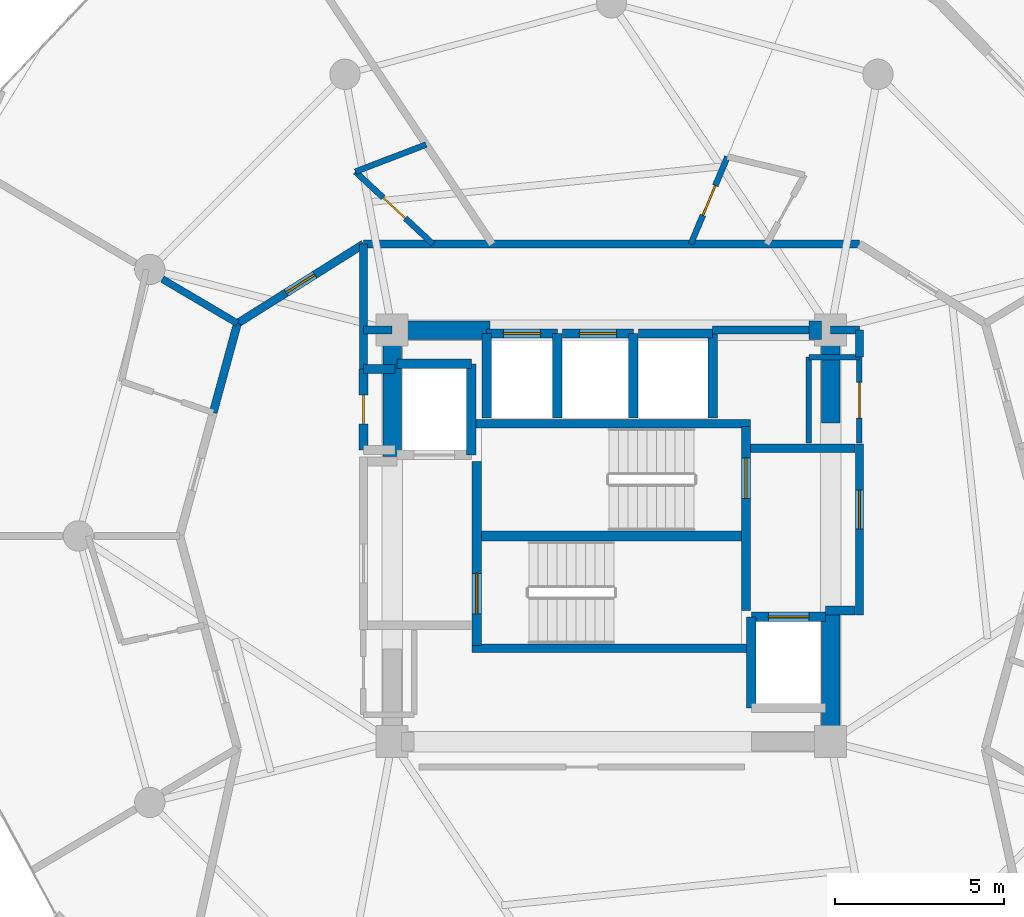
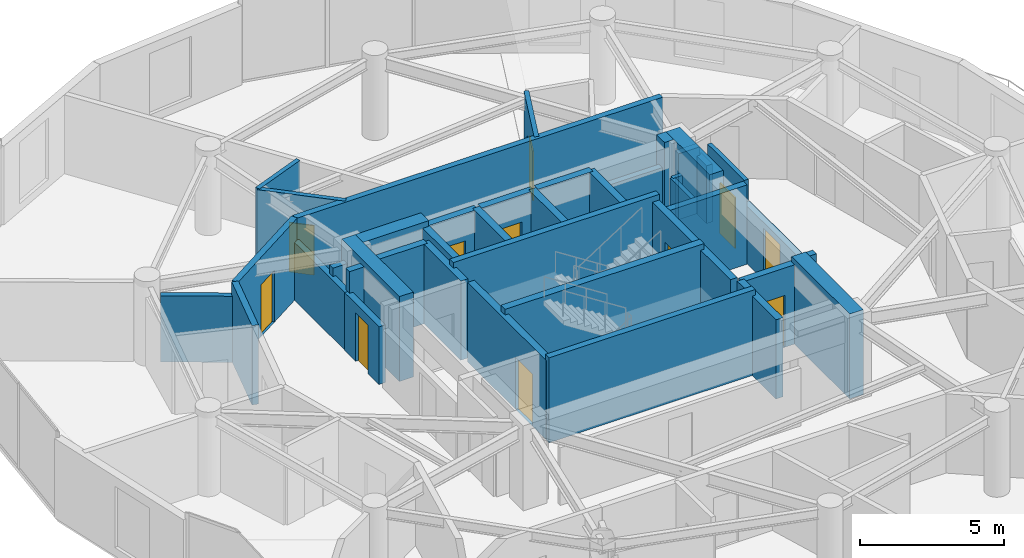
# One storey, part 19 of 23: 41 walls, 11 doors, 11 openings.
"""IFC4 building model written with IfcOpenShell, lengths in metres."""

from ifc_helpers import new_model, si_unit, direction, frame, frame_2d, origin, place, context, subcontext, project, spatial, rectangle, extrude, material, layer, layer_set, type_object, element, fill, save


model = new_model("IFC4")

# Units and contexts
model_context = context("Model", 3, precision=1e-05, world=origin(), true_north=direction((0.0, 1.0)))
body_context = subcontext(model_context, "Body", "Model", "MODEL_VIEW")
ifc_project = project(units=[si_unit("LENGTHUNIT", "METRE"), si_unit("AREAUNIT", "SQUARE_METRE"), si_unit("VOLUMEUNIT", "CUBIC_METRE"), si_unit("PLANEANGLEUNIT", "RADIAN"), si_unit("MASSUNIT", "GRAM", prefix="KILO")], contexts=[model_context])

# Site, building, storey
site_placement = place(None, origin())
site = spatial("IfcSite", under=ifc_project, at=site_placement, CompositionType="ELEMENT")
building_placement = place(site_placement, origin())
building = spatial("IfcBuilding", under=site, at=building_placement, Name="Solvirekh Grand Hotel", CompositionType="ELEMENT")
storey_placement = place(building_placement, frame((0.0, 0.0, 180.39990234375)))
storey = spatial("IfcBuildingStorey", under=building, at=storey_placement, Name="L46", CompositionType="ELEMENT", Elevation=180.39990234375)

# Walls
ifc_material_1 = material(Name="Concrete C50/60", Category="concrete")
ifc_layer_1 = layer(ifc_material_1, 0.35009765625)
ifc_layer_set_1 = layer_set([ifc_layer_1], Name="Concrete C50/60")
wall_type_1 = type_object("IfcWallType", Name="CoreDivWall_RC350", PredefinedType="SOLIDWALL", material=ifc_layer_set_1)
for number, where, z_axis, x_axis, name in (
    (1, (-4.1298828125, -3.324951171875, 0.0), (0.0, 0.0, 1.0), (1.0, 0.0, 0.0), "L46 core stair box wall ST-S"),
    (2, (-4.1298828125, 3.324951171875, 0.0), (0.0, 0.0, 1.0), (1.0, 0.0, 0.0), "L46 core stair box wall ST-N"),
):
    element("IfcWall", number, at=place(storey_placement, frame(where, z_axis=z_axis, x_axis=x_axis)), inside=storey, type_object=wall_type_1, Name=name, PredefinedType="SOLIDWALL", context=body_context, shape_type="SweptSolid", body=[
        extrude(rectangle(XDim=8.259765625, YDim=0.25, at=frame_2d((4.1298828125, 0.0))), origin(), (0.0, 0.0, 1.0), 3.60009765625),
    ])

# Wall, opening, door
ifc_material_2 = material(Name="Concrete C40/50", Category="concrete")
ifc_layer_2 = layer(ifc_material_2, 0.280029296875)
ifc_layer_set_2 = layer_set([ifc_layer_2], Name="Concrete C40/50")
wall_type_2 = type_object("IfcWallType", Name="CoreShaftWall_RC280", PredefinedType="SOLIDWALL", material=ifc_layer_set_2)
wall_1_placement = place(storey_placement, frame((-1.60009765625, 6.0, 0.0), z_axis=(0.0, 0.0, 1.0), x_axis=(-1.0, 0.0, 0.0)))
wall_1 = element("IfcWall", 3, at=wall_1_placement, inside=storey, type_object=wall_type_2, Name="L46 HP-1 hoistway N wall", PredefinedType="SOLIDWALL", context=body_context, shape_type="SweptSolid", body=[
    extrude(rectangle(XDim=2.099853515625, YDim=0.280029296875, at=frame_2d((1.0498046875, 0.0))), origin(), (0.0, 0.0, 1.0), 3.360107421875),
])
opening_1_placement = place(wall_1_placement, frame((0.5, 0.0, 0.0)))
opening_1 = element("IfcOpeningElement", 4, at=opening_1_placement, cuts=wall_1, Name="Opening LD01", PredefinedType="OPENING", context=body_context, shape_type="SweptSolid", body=[
    extrude(rectangle(XDim=1.10009765625, YDim=2.199951171875, at=frame_2d((0.550048828125, 1.10009765625))), frame((0.0, 0.14990234375, 0.0), z_axis=(0.0, -1.0, 0.0), x_axis=(1.0, 0.0, 0.0)), (0.0, 0.0, 1.0), 0.300048828125),
])
ifc_material_3 = material(Name="Fire-Rated Steel Door Assembly", Category="steel")
door_type_1 = type_object("IfcDoorType", Name="Door_LiftLanding_1100X2200", OperationType="SLIDING_TO_LEFT", PredefinedType="DOOR", material=ifc_material_3)
door_1_placement = place(opening_1_placement, origin())
door_1 = element("IfcDoor", 5, at=door_1_placement, inside=storey, type_object=door_type_1, Name="L46 HP-1 sliding lift landing door", OperationType="SLIDING_TO_LEFT", OverallHeight=2.199951171875, OverallWidth=1.10009765625, PredefinedType="DOOR", context=body_context, shape_type="SweptSolid", body=[
    extrude(rectangle(XDim=1.10009765625, YDim=2.199951171875, at=frame_2d((0.550048828125, 1.10009765625))), frame((0.0, 0.02490234375, 0.0), z_axis=(0.0, -1.0, 0.0), x_axis=(1.0, 0.0, 0.0)), (0.0, 0.0, 1.0), 0.050048828125),
])
fill(opening_1, door_1)

# Walls
for number, where, z_axis, x_axis, name in (
    (6, (-3.699951171875, 6.0, 0.0), (0.0, 0.0, 1.0), (0.0, -1.0, 0.0), "L46 HP-1 hoistway W wall"),
    (7, (-1.60009765625, 3.5, 0.0), (0.0, 0.0, 1.0), (0.0, 1.0, 0.0), "L46 HP-1 hoistway E wall"),
):
    element("IfcWall", number, at=place(storey_placement, frame(where, z_axis=z_axis, x_axis=x_axis)), inside=storey, type_object=wall_type_2, Name=name, PredefinedType="SOLIDWALL", context=body_context, shape_type="SweptSolid", body=[
        extrude(rectangle(XDim=2.5, YDim=0.280029296875, at=frame_2d((1.25, 0.0))), origin(), (0.0, 0.0, 1.0), 3.360107421875),
    ])

# Wall, opening, door
wall_2_placement = place(storey_placement, frame((0.64990234375, 6.0, 0.0), z_axis=(0.0, 0.0, 1.0), x_axis=(-1.0, 0.0, 0.0)))
wall_2 = element("IfcWall", 8, at=wall_2_placement, inside=storey, type_object=wall_type_2, Name="L46 HP-2 hoistway N wall", PredefinedType="SOLIDWALL", context=body_context, shape_type="SweptSolid", body=[
    extrude(rectangle(XDim=2.099853515625, YDim=0.280029296875, at=frame_2d((1.0498046875, 0.0))), origin(), (0.0, 0.0, 1.0), 3.360107421875),
])
opening_2_placement = place(wall_2_placement, frame((0.5, 0.0, 0.0)))
opening_2 = element("IfcOpeningElement", 9, at=opening_2_placement, cuts=wall_2, Name="Opening LD01", PredefinedType="OPENING", context=body_context, shape_type="SweptSolid", body=[
    extrude(rectangle(XDim=1.10009765625, YDim=2.199951171875, at=frame_2d((0.550048828125, 1.10009765625))), frame((0.0, 0.14990234375, 0.0), z_axis=(0.0, -1.0, 0.0), x_axis=(1.0, 0.0, 0.0)), (0.0, 0.0, 1.0), 0.300048828125),
])
door_2_placement = place(opening_2_placement, origin())
door_2 = element("IfcDoor", 10, at=door_2_placement, inside=storey, type_object=door_type_1, Name="L46 HP-2 sliding lift landing door", OperationType="SLIDING_TO_LEFT", OverallHeight=2.199951171875, OverallWidth=1.10009765625, PredefinedType="DOOR", context=body_context, shape_type="SweptSolid", body=[
    extrude(rectangle(XDim=1.10009765625, YDim=2.199951171875, at=frame_2d((0.550048828125, 1.10009765625))), frame((0.0, 0.02490234375, 0.0), z_axis=(0.0, -1.0, 0.0), x_axis=(1.0, 0.0, 0.0)), (0.0, 0.0, 1.0), 0.050048828125),
])
fill(opening_2, door_2)

# Walls
wall_3_placement = place(storey_placement, frame((0.64990234375, 3.5, 0.0), z_axis=(0.0, 0.0, 1.0), x_axis=(0.0, 1.0, 0.0)))
element("IfcWall", 11, at=wall_3_placement, inside=storey, type_object=wall_type_2, Name="L46 HP-2 hoistway E wall", PredefinedType="SOLIDWALL", context=body_context, shape_type="SweptSolid", body=[
    extrude(rectangle(XDim=2.5, YDim=0.280029296875, at=frame_2d((1.25, 0.0))), origin(), (0.0, 0.0, 1.0), 3.360107421875),
])
wall_4_placement = place(storey_placement, frame((3.0, 6.0, 0.0), z_axis=(0.0, 0.0, 1.0), x_axis=(-1.0, 0.0, 0.0)))
element("IfcWall", 12, at=wall_4_placement, inside=storey, type_object=wall_type_2, Name="L46 EX-1 hoistway N wall", PredefinedType="SOLIDWALL", context=body_context, shape_type="SweptSolid", body=[
    extrude(rectangle(XDim=2.199951171875, YDim=0.280029296875, at=frame_2d((1.10009765625, 0.0))), origin(), (0.0, 0.0, 1.0), 3.360107421875),
])
wall_5_placement = place(storey_placement, frame((3.0, 3.5, 0.0), z_axis=(0.0, 0.0, 1.0), x_axis=(0.0, 1.0, 0.0)))
element("IfcWall", 13, at=wall_5_placement, inside=storey, type_object=wall_type_2, Name="L46 EX-1 hoistway E wall", PredefinedType="SOLIDWALL", context=body_context, shape_type="SweptSolid", body=[
    extrude(rectangle(XDim=2.5, YDim=0.280029296875, at=frame_2d((1.25, 0.0))), origin(), (0.0, 0.0, 1.0), 3.360107421875),
])
wall_6_placement = place(storey_placement, frame((-4.14990234375, 5.10009765625, 0.0), z_axis=(0.0, 0.0, 1.0), x_axis=(-1.0, 0.0, 0.0)))
element("IfcWall", 14, at=wall_6_placement, inside=storey, type_object=wall_type_2, Name="L46 FL-1 hoistway N wall", PredefinedType="SOLIDWALL", context=body_context, shape_type="SweptSolid", body=[
    extrude(rectangle(XDim=2.2001953125, YDim=0.280029296875, at=frame_2d((1.10009765625, 0.0))), origin(), (0.0, 0.0, 1.0), 3.360107421875),
])
wall_7_placement = place(storey_placement, frame((-4.14990234375, 2.39990234375, 0.0), z_axis=(0.0, 0.0, 1.0), x_axis=(0.0, 1.0, 0.0)))
element("IfcWall", 15, at=wall_7_placement, inside=storey, type_object=wall_type_2, Name="L46 FL-1 hoistway E wall", PredefinedType="SOLIDWALL", context=body_context, shape_type="SweptSolid", body=[
    extrude(rectangle(XDim=2.7001953125, YDim=0.280029296875, at=frame_2d((1.35009765625, 0.0))), origin(), (0.0, 0.0, 1.0), 3.360107421875),
])

# Wall, opening, door
wall_8_placement = place(storey_placement, frame((6.35009765625, -2.39990234375, 0.0), z_axis=(0.0, 0.0, 1.0), x_axis=(-1.0, 0.0, 0.0)))
wall_8 = element("IfcWall", 16, at=wall_8_placement, inside=storey, type_object=wall_type_2, Name="L46 FL-2 hoistway N wall", PredefinedType="SOLIDWALL", context=body_context, shape_type="SweptSolid", body=[
    extrude(rectangle(XDim=2.2001953125, YDim=0.280029296875, at=frame_2d((1.10009765625, 0.0))), origin(), (0.0, 0.0, 1.0), 3.360107421875),
])
opening_3_placement = place(wall_8_placement, frame((0.5, 0.0, 0.0)))
opening_3 = element("IfcOpeningElement", 17, at=opening_3_placement, cuts=wall_8, Name="Opening LD02", PredefinedType="OPENING", context=body_context, shape_type="SweptSolid", body=[
    extrude(rectangle(XDim=1.199951171875, YDim=2.199951171875, at=frame_2d((0.60009765625, 1.10009765625))), frame((0.0, 0.14990234375, 0.0), z_axis=(0.0, -1.0, 0.0), x_axis=(1.0, 0.0, 0.0)), (0.0, 0.0, 1.0), 0.300048828125),
])
door_type_2 = type_object("IfcDoorType", Name="Door_LiftFF_1200X2200", OperationType="SLIDING_TO_LEFT", PredefinedType="DOOR", material=ifc_material_3)
door_3_placement = place(opening_3_placement, origin())
door_3 = element("IfcDoor", 18, at=door_3_placement, inside=storey, type_object=door_type_2, Name="L46 FL-2 sliding lift landing door", OperationType="SLIDING_TO_LEFT", OverallHeight=2.199951171875, OverallWidth=1.199951171875, PredefinedType="DOOR", context=body_context, shape_type="SweptSolid", body=[
    extrude(rectangle(XDim=1.199951171875, YDim=2.199951171875, at=frame_2d((0.60009765625, 1.10009765625))), frame((0.0, 0.02490234375, 0.0), z_axis=(0.0, -1.0, 0.0), x_axis=(1.0, 0.0, 0.0)), (0.0, 0.0, 1.0), 0.050048828125),
])
fill(opening_3, door_3)

# Wall
wall_9_placement = place(storey_placement, frame((4.14990234375, -2.39990234375, 0.0), z_axis=(0.0, 0.0, 1.0), x_axis=(0.0, -1.0, 0.0)))
element("IfcWall", 19, at=wall_9_placement, inside=storey, type_object=wall_type_2, Name="L46 FL-2 hoistway W wall", PredefinedType="SOLIDWALL", context=body_context, shape_type="SweptSolid", body=[
    extrude(rectangle(XDim=2.7001953125, YDim=0.280029296875, at=frame_2d((1.35009765625, 0.0))), origin(), (0.0, 0.0, 1.0), 3.360107421875),
])

# Wall, opening, door
wall_10_placement = place(storey_placement, frame((-3.989990234375, -3.25, 0.0), z_axis=(0.0, 0.0, 1.0), x_axis=(0.0, 1.0, 0.0)))
wall_10 = element("IfcWall", 20, at=wall_10_placement, inside=storey, type_object=wall_type_2, Name="L46 west stair landing enclosure wall", PredefinedType="SOLIDWALL", context=body_context, shape_type="SweptSolid", body=[
    extrude(rectangle(XDim=5.4599609375, YDim=0.280029296875, at=frame_2d((2.72998046875, 0.0))), origin(), (0.0, 0.0, 1.0), 3.360107421875),
])
opening_4_placement = place(wall_10_placement, frame((0.93701171875, 0.0, 0.0)))
opening_4 = element("IfcOpeningElement", 21, at=opening_4_placement, cuts=wall_10, Name="Opening D05", PredefinedType="OPENING", context=body_context, shape_type="SweptSolid", body=[
    extrude(rectangle(XDim=1.199951171875, YDim=2.199951171875, at=frame_2d((0.60009765625, 1.10009765625))), frame((0.0, 0.14990234375, 0.0), z_axis=(0.0, -1.0, 0.0), x_axis=(1.0, 0.0, 0.0)), (0.0, 0.0, 1.0), 0.300048828125),
])
door_type_3 = type_object("IfcDoorType", Name="Door_StairCore_1200X2200", OperationType="NOTDEFINED", PredefinedType="DOOR", material=ifc_material_3)
door_4_placement = place(opening_4_placement, origin())
door_4 = element("IfcDoor", 22, at=door_4_placement, inside=storey, type_object=door_type_3, Name="L46 exit stair ST-1 fire door", OperationType="SINGLE_SWING_LEFT", OverallHeight=2.199951171875, OverallWidth=1.199951171875, PredefinedType="DOOR", context=body_context, shape_type="SweptSolid", body=[
    extrude(rectangle(XDim=1.199951171875, YDim=2.199951171875, at=frame_2d((0.60009765625, 1.10009765625))), frame((0.0, 0.02490234375, 0.0), z_axis=(0.0, -1.0, 0.0), x_axis=(1.0, 0.0, 0.0)), (0.0, 0.0, 1.0), 0.050048828125),
])
fill(opening_4, door_4)

wall_11_placement = place(storey_placement, frame((3.989990234375, -2.2099609375, 0.0), z_axis=(0.0, 0.0, 1.0), x_axis=(0.0, 1.0, 0.0)))
wall_11 = element("IfcWall", 23, at=wall_11_placement, inside=storey, type_object=wall_type_2, Name="L46 east stair landing enclosure wall", PredefinedType="SOLIDWALL", context=body_context, shape_type="SweptSolid", body=[
    extrude(rectangle(XDim=5.4599609375, YDim=0.280029296875, at=frame_2d((2.72998046875, 0.0))), origin(), (0.0, 0.0, 1.0), 3.360107421875),
])
opening_5_placement = place(wall_11_placement, frame((3.322998046875, 0.0, 0.0)))
opening_5 = element("IfcOpeningElement", 24, at=opening_5_placement, cuts=wall_11, Name="Opening D05", PredefinedType="OPENING", context=body_context, shape_type="SweptSolid", body=[
    extrude(rectangle(XDim=1.199951171875, YDim=2.199951171875, at=frame_2d((0.60009765625, 1.10009765625))), frame((0.0, 0.14990234375, 0.0), z_axis=(0.0, -1.0, 0.0), x_axis=(1.0, 0.0, 0.0)), (0.0, 0.0, 1.0), 0.300048828125),
])
door_5_placement = place(opening_5_placement, origin())
door_5 = element("IfcDoor", 25, at=door_5_placement, inside=storey, type_object=door_type_3, Name="L46 exit stair ST-2 fire door", OperationType="SINGLE_SWING_RIGHT", OverallHeight=2.199951171875, OverallWidth=1.199951171875, PredefinedType="DOOR", context=body_context, shape_type="SweptSolid", body=[
    extrude(rectangle(XDim=1.199951171875, YDim=2.199951171875, at=frame_2d((0.60009765625, 1.10009765625))), frame((0.0, 0.02490234375, 0.0), z_axis=(0.0, -1.0, 0.0), x_axis=(1.0, 0.0, 0.0)), (0.0, 0.0, 1.0), 0.050048828125),
])
fill(opening_5, door_5)

# Walls
ifc_layer_3 = layer(ifc_material_1, 0.550048828125)
ifc_layer_set_3 = layer_set([ifc_layer_3], Name="Concrete C50/60")
wall_type_3 = type_object("IfcWallType", Name="CoreWall_RC550", PredefinedType="SHEAR", material=ifc_layer_set_3)
wall_12_placement = place(storey_placement, frame((-3.989990234375, 0.0, 0.0), z_axis=(0.0, 0.0, 1.0), x_axis=(1.0, 0.0, 0.0)))
element("IfcWall", 26, at=wall_12_placement, inside=storey, type_object=wall_type_3, Name="L46 central stair-spine shear wall", PredefinedType="SHEAR", context=body_context, shape_type="SweptSolid", body=[
    extrude(rectangle(XDim=7.97998046875, YDim=0.300048828125, at=frame_2d((3.989990234375, 0.0))), origin(), (0.0, 0.0, 1.0), 3.60009765625),
])
wall_13_placement = place(storey_placement, frame((-6.22509765625, 6.10009765625, 0.0), z_axis=(0.0, 0.0, 1.0), x_axis=(1.0, 0.0, 0.0)))
element("IfcWall", 27, at=wall_13_placement, inside=storey, type_object=wall_type_3, Name="L46 core corner shear wall NW-N", PredefinedType="SHEAR", context=body_context, shape_type="SweptSolid", body=[
    extrude(rectangle(XDim=2.625, YDim=0.550048828125, at=frame_2d((1.3125, 0.0))), origin(), (0.0, 0.0, 1.0), 3.60009765625),
])
wall_14_placement = place(storey_placement, frame((5.85009765625, 6.10009765625, 0.0), z_axis=(0.0, 0.0, 1.0), x_axis=(1.0, 0.0, 0.0)))
element("IfcWall", 28, at=wall_14_placement, inside=storey, type_object=wall_type_3, Name="L46 core corner shear wall NE-N", PredefinedType="SHEAR", context=body_context, shape_type="SweptSolid", body=[
    extrude(rectangle(XDim=0.375, YDim=0.550048828125, at=frame_2d((0.1875, 0.0))), origin(), (0.0, 0.0, 1.0), 3.60009765625),
])
for number, where, z_axis, x_axis, name in (
    (29, (-6.5, 2.35009765625, 0.0), (0.0, 0.0, 1.0), (0.0, 1.0, 0.0), "L46 core corner shear wall WN-W"),
    (30, (6.5, -6.375, 0.0), (0.0, 0.0, 1.0), (0.0, 1.0, 0.0), "L46 core corner shear wall ES-E"),
):
    element("IfcWall", number, at=place(storey_placement, frame(where, z_axis=z_axis, x_axis=x_axis)), inside=storey, type_object=wall_type_3, Name=name, PredefinedType="SHEAR", context=body_context, shape_type="SweptSolid", body=[
        extrude(rectangle(XDim=4.02490234375, YDim=0.550048828125, at=frame_2d((2.012451171875, 0.0))), origin(), (0.0, 0.0, 1.0), 3.60009765625),
    ])
wall_15_placement = place(storey_placement, frame((6.5, 3.35009765625, 0.0), z_axis=(0.0, 0.0, 1.0), x_axis=(0.0, 1.0, 0.0)))
element("IfcWall", 31, at=wall_15_placement, inside=storey, type_object=wall_type_3, Name="L46 core corner shear wall EN-E", PredefinedType="SHEAR", context=body_context, shape_type="SweptSolid", body=[
    extrude(rectangle(XDim=3.02490234375, YDim=0.550048828125, at=frame_2d((1.512451171875, 0.0))), origin(), (0.0, 0.0, 1.0), 3.60009765625),
])

# Wall, opening, door
ifc_material_4 = material(Name="Acoustic Gypsum Partition Assembly")
ifc_layer_4 = layer(ifc_material_4, 0.1650390625)
ifc_layer_set_4 = layer_set([ifc_layer_4], Name="Acoustic Gypsum Partition Assembly")
wall_type_4 = type_object("IfcWallType", Name="Part_BOH_165", PredefinedType="PARTITIONING", material=ifc_layer_set_4)
wall_16_placement = place(storey_placement, frame((7.35009765625, 2.75, 0.0), z_axis=(0.0, 0.0, 1.0), x_axis=(0.0, 1.0, 0.0)))
wall_16 = element("IfcWall", 32, at=wall_16_placement, inside=storey, type_object=wall_type_4, Name="L46 L46 Telecom Distribution Room wall 2", PredefinedType="PARTITIONING", context=body_context, shape_type="SweptSolid", body=[
    extrude(rectangle(XDim=2.550048828125, YDim=0.1650390625, at=frame_2d((1.27490234375, 0.0))), origin(), (0.0, 0.0, 1.0), 3.360107421875),
])
opening_6_placement = place(wall_16_placement, frame((0.75, 0.0, 0.0)))
opening_6 = element("IfcOpeningElement", 33, at=opening_6_placement, cuts=wall_16, Name="Opening D12", PredefinedType="OPENING", context=body_context, shape_type="SweptSolid", body=[
    extrude(rectangle(XDim=1.050048828125, YDim=2.14990234375, at=frame_2d((0.52490234375, 1.074951171875))), frame((0.0, 0.092529296875, 0.0), z_axis=(0.0, -1.0, 0.0), x_axis=(1.0, 0.0, 0.0)), (0.0, 0.0, 1.0), 0.18505859375),
])
door_type_4 = type_object("IfcDoorType", Name="Door_PlantBOH_1050X2150", OperationType="NOTDEFINED", PredefinedType="DOOR", material=ifc_material_3)
door_6_placement = place(opening_6_placement, origin())
door_6 = element("IfcDoor", 34, at=door_6_placement, inside=storey, type_object=door_type_4, Name="L46 L46 Telecom Distribution Room door", OperationType="SINGLE_SWING_LEFT", OverallHeight=2.14990234375, OverallWidth=1.050048828125, PredefinedType="DOOR", context=body_context, shape_type="SweptSolid", body=[
    extrude(rectangle(XDim=1.050048828125, YDim=2.14990234375, at=frame_2d((0.52490234375, 1.074951171875))), frame((0.0, 0.02490234375, 0.0), z_axis=(0.0, -1.0, 0.0), x_axis=(1.0, 0.0, 0.0)), (0.0, 0.0, 1.0), 0.050048828125),
])
fill(opening_6, door_6)

# Walls
wall_17_placement = place(storey_placement, frame((7.35009765625, 5.300048828125, 0.0), z_axis=(0.0, 0.0, 1.0), x_axis=(-1.0, 0.0, 0.0)))
element("IfcWall", 35, at=wall_17_placement, inside=storey, type_object=wall_type_4, Name="L46 L46 Telecom Distribution Room wall 3", PredefinedType="PARTITIONING", context=body_context, shape_type="SweptSolid", body=[
    extrude(rectangle(XDim=1.5, YDim=0.1650390625, at=frame_2d((0.75, 0.0))), origin(), (0.0, 0.0, 1.0), 2.445068359375),
])
wall_18_placement = place(storey_placement, frame((5.85009765625, 5.300048828125, 0.0), z_axis=(0.0, 0.0, 1.0), x_axis=(0.0, -1.0, 0.0)))
element("IfcWall", 36, at=wall_18_placement, inside=storey, type_object=wall_type_4, Name="L46 L46 Telecom Distribution Room wall 4", PredefinedType="PARTITIONING", context=body_context, shape_type="SweptSolid", body=[
    extrude(rectangle(XDim=2.550048828125, YDim=0.1650390625, at=frame_2d((1.27490234375, 0.0))), origin(), (0.0, 0.0, 1.0), 2.445068359375),
])

# Wall, opening, door
ifc_layer_5 = layer(ifc_material_4, 0.239990234375)
ifc_layer_set_5 = layer_set([ifc_layer_5], Name="Acoustic Gypsum Partition Assembly")
wall_type_5 = type_object("IfcWallType", Name="Part_Corridor_240", PredefinedType="PARTITIONING", material=ifc_layer_set_5)
wall_19_placement = place(storey_placement, frame((7.35009765625, -2.340087890625, 0.0), z_axis=(0.0, 0.0, 1.0), x_axis=(0.0, 1.0, 0.0)))
wall_19 = element("IfcWall", 37, at=wall_19_placement, inside=storey, type_object=wall_type_5, Name="L46 east firefighting lobby smoke screen wall", PredefinedType="PARTITIONING", context=body_context, shape_type="SweptSolid", body=[
    extrude(rectangle(XDim=5.070068359375, YDim=0.239990234375, at=frame_2d((2.53515625, 0.0))), origin(), (0.0, 0.0, 1.0), 2.445068359375),
])
opening_7_placement = place(wall_19_placement, frame((2.548095703125, 0.0, 0.0)))
opening_7 = element("IfcOpeningElement", 38, at=opening_7_placement, cuts=wall_19, Name="Opening D06", PredefinedType="OPENING", context=body_context, shape_type="SweptSolid", body=[
    extrude(rectangle(XDim=1.14990234375, YDim=2.199951171875, at=frame_2d((0.574951171875, 1.10009765625))), frame((0.0, 0.1298828125, 0.0), z_axis=(0.0, -1.0, 0.0), x_axis=(1.0, 0.0, 0.0)), (0.0, 0.0, 1.0), 0.260009765625),
])
door_type_5 = type_object("IfcDoorType", Name="Door_FFLobby_1150X2200", OperationType="NOTDEFINED", PredefinedType="DOOR", material=ifc_material_3)
door_7_placement = place(opening_7_placement, origin())
door_7 = element("IfcDoor", 39, at=door_7_placement, inside=storey, type_object=door_type_5, Name="L46 east firefighting lobby smoke door", OperationType="SINGLE_SWING_RIGHT", OverallHeight=2.199951171875, OverallWidth=1.14990234375, PredefinedType="DOOR", context=body_context, shape_type="SweptSolid", body=[
    extrude(rectangle(XDim=1.14990234375, YDim=2.199951171875, at=frame_2d((0.574951171875, 1.10009765625))), frame((0.0, 0.02490234375, 0.0), z_axis=(0.0, -1.0, 0.0), x_axis=(1.0, 0.0, 0.0)), (0.0, 0.0, 1.0), 0.050048828125),
])
fill(opening_7, door_7)

# Walls
wall_20_placement = place(storey_placement, frame((-7.35009765625, 8.64990234375, 0.0), z_axis=(0.0, 0.0, 1.0), x_axis=(1.0, 0.0, 0.0)))
element("IfcWall", 40, at=wall_20_placement, inside=storey, type_object=wall_type_5, Name="L46 north lift lobby enclosure wall", PredefinedType="PARTITIONING", context=body_context, shape_type="SweptSolid", body=[
    extrude(rectangle(XDim=14.7001953125, YDim=0.239990234375, at=frame_2d((7.35009765625, 0.0))), origin(), (0.0, 0.0, 1.0), 3.360107421875),
])
wall_21_placement = place(storey_placement, frame((3.0, 6.10009765625, 0.0), z_axis=(0.0, 0.0, 1.0), x_axis=(1.0, 0.0, 0.0)))
element("IfcWall", 41, at=wall_21_placement, inside=storey, type_object=wall_type_5, Name="L46 north core shaft infill wall", PredefinedType="PARTITIONING", context=body_context, shape_type="SweptSolid", body=[
    extrude(rectangle(XDim=2.85009765625, YDim=0.239990234375, at=frame_2d((1.425048828125, 0.0))), origin(), (0.0, 0.0, 1.0), 2.445068359375),
])
wall_22_placement = place(storey_placement, frame((7.35009765625, 5.300048828125, 0.0), z_axis=(0.0, 0.0, 1.0), x_axis=(0.0, 1.0, 0.0)))
element("IfcWall", 42, at=wall_22_placement, inside=storey, type_object=wall_type_5, Name="L46 NE core cheek closure wall", PredefinedType="PARTITIONING", context=body_context, shape_type="SweptSolid", body=[
    extrude(rectangle(XDim=0.800048828125, YDim=0.239990234375, at=frame_2d((0.39990234375, 0.0))), origin(), (0.0, 0.0, 1.0), 2.445068359375),
])
wall_23_placement = place(storey_placement, frame((6.5, 6.10009765625, 0.0), z_axis=(0.0, 0.0, 1.0), x_axis=(1.0, 0.0, 0.0)))
element("IfcWall", 43, at=wall_23_placement, inside=storey, type_object=wall_type_5, Name="L46 NE core corner tie wall", PredefinedType="PARTITIONING", context=body_context, shape_type="SweptSolid", body=[
    extrude(rectangle(XDim=0.85009765625, YDim=0.239990234375, at=frame_2d((0.425048828125, 0.0))), origin(), (0.0, 0.0, 1.0), 2.801025390625),
])
wall_24_placement = place(storey_placement, frame((-7.35009765625, 4.949951171875, 0.0), z_axis=(0.0, 0.0, 1.0), x_axis=(0.0, 1.0, 0.0)))
element("IfcWall", 44, at=wall_24_placement, inside=storey, type_object=wall_type_5, Name="L46 north lift lobby west wall", PredefinedType="PARTITIONING", context=body_context, shape_type="SweptSolid", body=[
    extrude(rectangle(XDim=3.699951171875, YDim=0.239990234375, at=frame_2d((1.85009765625, 0.0))), origin(), (0.0, 0.0, 1.0), 2.445068359375),
])
wall_25_placement = place(storey_placement, frame((-7.35009765625, 6.10009765625, 0.0), z_axis=(0.0, 0.0, 1.0), x_axis=(1.0, 0.0, 0.0)))
element("IfcWall", 45, at=wall_25_placement, inside=storey, type_object=wall_type_5, Name="L46 NW core corner closure wall", PredefinedType="PARTITIONING", context=body_context, shape_type="SweptSolid", body=[
    extrude(rectangle(XDim=0.85009765625, YDim=0.239990234375, at=frame_2d((0.425048828125, 0.0))), origin(), (0.0, 0.0, 1.0), 2.801025390625),
])

# Wall, opening, door
wall_26_placement = place(storey_placement, frame((-11.0849609375, 6.300048828125, 0.0), z_axis=(0.0, 0.0, 1.0), x_axis=(0.846409267484, 0.532532958526, 0.0)))
wall_26 = element("IfcWall", 46, at=wall_26_placement, inside=storey, type_object=wall_type_5, Name="L46 Deluxe Guestroom 4802 entrance wall", PredefinedType="PARTITIONING", context=body_context, shape_type="SweptSolid", body=[
    extrude(rectangle(XDim=4.41259765625, YDim=0.239990234375, at=frame_2d((2.206298828125, 0.0))), origin(), (0.0, 0.0, 1.0), 3.360107421875),
])
opening_8_placement = place(wall_26_placement, frame((1.7060546875, 0.0, 0.0)))
opening_8 = element("IfcOpeningElement", 47, at=opening_8_placement, cuts=wall_26, Name="Opening D07", PredefinedType="OPENING", context=body_context, shape_type="SweptSolid", body=[
    extrude(rectangle(XDim=1.0, YDim=2.199951171875, at=frame_2d((0.5, 1.10009765625))), frame((0.0, 0.1298828125, 0.0), z_axis=(0.0, -1.0, 0.0), x_axis=(1.0, 0.0, 0.0)), (0.0, 0.0, 1.0), 0.260009765625),
])
door_type_6 = type_object("IfcDoorType", Name="Door_GuestEntry_1000X2200", OperationType="NOTDEFINED", PredefinedType="DOOR", material=ifc_material_3)
door_8_placement = place(opening_8_placement, origin())
door_8 = element("IfcDoor", 48, at=door_8_placement, inside=storey, type_object=door_type_6, Name="L46 Deluxe Guestroom 4802 entrance door", OperationType="SINGLE_SWING_LEFT", OverallHeight=2.199951171875, OverallWidth=1.0, PredefinedType="DOOR", context=body_context, shape_type="SweptSolid", body=[
    extrude(rectangle(XDim=1.0, YDim=2.199951171875, at=frame_2d((0.5, 1.10009765625))), frame((0.0, 0.02490234375, 0.0), z_axis=(0.0, -1.0, 0.0), x_axis=(1.0, 0.0, 0.0)), (0.0, 0.0, 1.0), 0.050048828125),
])
fill(opening_8, door_8)

# Walls
wall_27_placement = place(storey_placement, frame((-11.0849609375, 6.300048828125, 0.0), z_axis=(0.0, 0.0, 1.0), x_axis=(-0.262552356383, -0.964917747872, 0.0)))
element("IfcWall", 49, at=wall_27_placement, inside=storey, type_object=wall_type_5, Name="L46 En-suite Bathroom 4803 corridor backing wall", PredefinedType="PARTITIONING", context=body_context, shape_type="SweptSolid", body=[
    extrude(rectangle(XDim=2.7421875, YDim=0.239990234375, at=frame_2d((1.37109375, 0.0))), origin(), (0.0, 0.0, 1.0), 3.360107421875),
])
ifc_layer_6 = layer(ifc_material_4, 0.260009765625)
ifc_layer_set_6 = layer_set([ifc_layer_6], Name="Acoustic Gypsum Partition Assembly")
wall_type_6 = type_object("IfcWallType", Name="Part_LobbyFF_260", PredefinedType="PARTITIONING", material=ifc_layer_set_6)
wall_28_placement = place(storey_placement, frame((6.35009765625, -2.2099609375, 0.0), z_axis=(0.0, 0.0, 1.0), x_axis=(1.0, 0.0, 0.0)))
element("IfcWall", 50, at=wall_28_placement, inside=storey, type_object=wall_type_6, Name="L46 east firefighting lobby SE cheek", PredefinedType="PARTITIONING", context=body_context, shape_type="SweptSolid", body=[
    extrude(rectangle(XDim=0.875, YDim=0.260009765625, at=frame_2d((0.4375, 0.0))), origin(), (0.0, 0.0, 1.0), 3.360107421875),
])
wall_29_placement = place(storey_placement, frame((4.1298828125, 2.60009765625, 0.0), z_axis=(0.0, 0.0, 1.0), x_axis=(1.0, 0.0, 0.0)))
element("IfcWall", 51, at=wall_29_placement, inside=storey, type_object=wall_type_6, Name="L46 east firefighting lobby north partition", PredefinedType="PARTITIONING", context=body_context, shape_type="SweptSolid", body=[
    extrude(rectangle(XDim=3.09521484375, YDim=0.260009765625, at=frame_2d((1.547607421875, 0.0))), origin(), (0.0, 0.0, 1.0), 3.360107421875),
])
wall_30_placement = place(storey_placement, frame((-7.35009765625, 4.949951171875, 0.0), z_axis=(0.0, 0.0, 1.0), x_axis=(1.0, 0.0, 0.0)))
element("IfcWall", 52, at=wall_30_placement, inside=storey, type_object=wall_type_6, Name="L46 NW telecom metering cupboard north wall", PredefinedType="PARTITIONING", context=body_context, shape_type="SweptSolid", body=[
    extrude(rectangle(XDim=0.93017578125, YDim=0.260009765625, at=frame_2d((0.465087890625, 0.0))), origin(), (0.0, 0.0, 1.0), 3.360107421875),
])

# Wall, opening, door
wall_31_placement = place(storey_placement, frame((-7.35009765625, 2.550048828125, 0.0), z_axis=(0.0, 0.0, 1.0), x_axis=(0.0, 1.0, 0.0)))
wall_31 = element("IfcWall", 53, at=wall_31_placement, inside=storey, type_object=wall_type_6, Name="L46 NW telecom metering cupboard access wall", PredefinedType="PARTITIONING", context=body_context, shape_type="SweptSolid", body=[
    extrude(rectangle(XDim=2.39990234375, YDim=0.260009765625, at=frame_2d((1.199951171875, 0.0))), origin(), (0.0, 0.0, 1.0), 2.445068359375),
])
opening_9_placement = place(wall_31_placement, frame((0.77490234375, 0.0, 0.0)))
opening_9 = element("IfcOpeningElement", 54, at=opening_9_placement, cuts=wall_31, Name="Opening D13", PredefinedType="OPENING", context=body_context, shape_type="SweptSolid", body=[
    extrude(rectangle(XDim=0.85009765625, YDim=2.050048828125, at=frame_2d((0.425048828125, 1.02490234375))), frame((0.0, 0.14013671875, 0.0), z_axis=(0.0, -1.0, 0.0), x_axis=(1.0, 0.0, 0.0)), (0.0, 0.0, 1.0), 0.280029296875),
])
door_type_7 = type_object("IfcDoorType", Name="Door_RiserShaft_850X2050", OperationType="NOTDEFINED", PredefinedType="DOOR", material=ifc_material_3)
door_9_placement = place(opening_9_placement, origin())
door_9 = element("IfcDoor", 55, at=door_9_placement, inside=storey, type_object=door_type_7, Name="L46 telecom metering cupboard access door", OperationType="SINGLE_SWING_LEFT", OverallHeight=2.050048828125, OverallWidth=0.85009765625, PredefinedType="DOOR", context=body_context, shape_type="SweptSolid", body=[
    extrude(rectangle(XDim=0.85009765625, YDim=2.050048828125, at=frame_2d((0.425048828125, 1.02490234375))), frame((0.0, 0.02490234375, 0.0), z_axis=(0.0, -1.0, 0.0), x_axis=(1.0, 0.0, 0.0)), (0.0, 0.0, 1.0), 0.050048828125),
])
fill(opening_9, door_9)

# Wall
ifc_layer_7 = layer(ifc_material_4, 0.2099609375)
ifc_layer_set_7 = layer_set([ifc_layer_7], Name="Acoustic Gypsum Partition Assembly")
wall_type_7 = type_object("IfcWallType", Name="Part_SuiteDemise_210", PredefinedType="PARTITIONING", material=ifc_layer_set_7)
wall_32_placement = place(storey_placement, frame((-11.0849609375, 6.300048828125, 0.0), z_axis=(0.0, 0.0, 1.0), x_axis=(-0.86133622593, 0.508035339225, 0.0)))
element("IfcWall", 56, at=wall_32_placement, inside=storey, type_object=wall_type_7, Name="L46 suite radial wall 6 (A)", PredefinedType="PARTITIONING", context=body_context, shape_type="SweptSolid", body=[
    extrude(rectangle(XDim=2.58447265625, YDim=0.2099609375, at=frame_2d((1.292236328125, 0.0))), origin(), (0.0, 0.0, 1.0), 2.801025390625),
])

# Wall, opening, door
ifc_layer_8 = layer(ifc_material_4, 0.175048828125)
ifc_layer_set_8 = layer_set([ifc_layer_8], Name="Acoustic Gypsum Partition Assembly")
wall_type_8 = type_object("IfcWallType", Name="Plumb_Ensuite_175", PredefinedType="PLUMBINGWALL", material=ifc_layer_set_8)
wall_33_placement = place(storey_placement, frame((3.43896484375, 11.239013671875, 0.0), z_axis=(0.0, 0.0, 1.0), x_axis=(-0.387077273479, -0.922047278807, 0.0)))
wall_33 = element("IfcWall", 57, at=wall_33_placement, inside=storey, type_object=wall_type_8, Name="L46 En-suite Bathroom 4801 side plumbing wall", PredefinedType="PLUMBINGWALL", context=body_context, shape_type="SweptSolid", body=[
    extrude(rectangle(XDim=2.80810546875, YDim=0.175048828125, at=frame_2d((1.404052734375, 0.0))), origin(), (0.0, 0.0, 1.0), 3.360107421875),
])
opening_10_placement = place(wall_33_placement, frame((0.928955078125, 0.0, 0.0)))
opening_10 = element("IfcOpeningElement", 58, at=opening_10_placement, cuts=wall_33, Name="Opening D10", PredefinedType="OPENING", context=body_context, shape_type="SweptSolid", body=[
    extrude(rectangle(XDim=0.949951171875, YDim=2.10009765625, at=frame_2d((0.47509765625, 1.050048828125))), frame((0.0, 0.09765625, 0.0), z_axis=(0.0, -1.0, 0.0), x_axis=(1.0, 0.0, 0.0)), (0.0, 0.0, 1.0), 0.195068359375),
])
ifc_material_5 = material(Name="Anodized Bronze Aluminium 6063-T6", Category="aluminium")
door_type_8 = type_object("IfcDoorType", Name="Door_RoomInt_950X2100", OperationType="NOTDEFINED", PredefinedType="DOOR", material=ifc_material_5)
door_10_placement = place(opening_10_placement, origin())
door_10 = element("IfcDoor", 59, at=door_10_placement, inside=storey, type_object=door_type_8, Name="L46 Panorama Suite 4801 North Observatory Study master bedroom door", OperationType="SINGLE_SWING_LEFT", OverallHeight=2.10009765625, OverallWidth=0.949951171875, PredefinedType="DOOR", context=body_context, shape_type="SweptSolid", body=[
    extrude(rectangle(XDim=0.949951171875, YDim=2.10009765625, at=frame_2d((0.47509765625, 1.050048828125))), frame((0.0, 0.02490234375, 0.0), z_axis=(0.0, -1.0, 0.0), x_axis=(1.0, 0.0, 0.0)), (0.0, 0.0, 1.0), 0.050048828125),
])
fill(opening_10, door_10)

# Wall
wall_34_placement = place(storey_placement, frame((-7.591064453125, 10.7958984375, 0.0), z_axis=(0.0, 0.0, 1.0), x_axis=(0.933759431782, 0.357901276273, 0.0)))
element("IfcWall", 60, at=wall_34_placement, inside=storey, type_object=wall_type_8, Name="L46 En-suite Bathroom 4802 outer plumbing wall", PredefinedType="PLUMBINGWALL", context=body_context, shape_type="SweptSolid", body=[
    extrude(rectangle(XDim=2.2470703125, YDim=0.175048828125, at=frame_2d((1.12353515625, 0.0))), origin(), (0.0, 0.0, 1.0), 3.360107421875),
])

# Wall, opening, door
wall_35_placement = place(storey_placement, frame((-7.591064453125, 10.7958984375, 0.0), z_axis=(0.0, 0.0, 1.0), x_axis=(0.731925968359, -0.681384162453, 0.0)))
wall_35 = element("IfcWall", 61, at=wall_35_placement, inside=storey, type_object=wall_type_8, Name="L46 En-suite Bathroom 4802 entry plumbing wall", PredefinedType="PLUMBINGWALL", context=body_context, shape_type="SweptSolid", body=[
    extrude(rectangle(XDim=3.1494140625, YDim=0.175048828125, at=frame_2d((1.57470703125, 0.0))), origin(), (0.0, 0.0, 1.0), 3.360107421875),
])
opening_11_placement = place(wall_35_placement, frame((1.125, 0.0, 0.0)))
opening_11 = element("IfcOpeningElement", 62, at=opening_11_placement, cuts=wall_35, Name="Opening D09", PredefinedType="OPENING", context=body_context, shape_type="SweptSolid", body=[
    extrude(rectangle(XDim=0.89990234375, YDim=2.10009765625, at=frame_2d((0.449951171875, 1.050048828125))), frame((0.0, 0.09765625, 0.0), z_axis=(0.0, -1.0, 0.0), x_axis=(1.0, 0.0, 0.0)), (0.0, 0.0, 1.0), 0.195068359375),
])
door_type_9 = type_object("IfcDoorType", Name="Door_Ensuite_900X2100", OperationType="NOTDEFINED", PredefinedType="DOOR", material=ifc_material_5)
door_11_placement = place(opening_11_placement, origin())
door_11 = element("IfcDoor", 63, at=door_11_placement, inside=storey, type_object=door_type_9, Name="L46 En-suite Bathroom 4802 door", OperationType="SINGLE_SWING_RIGHT", OverallHeight=2.10009765625, OverallWidth=0.89990234375, PredefinedType="DOOR", context=body_context, shape_type="SweptSolid", body=[
    extrude(rectangle(XDim=0.89990234375, YDim=2.10009765625, at=frame_2d((0.449951171875, 1.050048828125))), frame((0.0, 0.02490234375, 0.0), z_axis=(0.0, -1.0, 0.0), x_axis=(1.0, 0.0, 0.0)), (0.0, 0.0, 1.0), 0.050048828125),
])
fill(opening_11, door_11)

save(model, "model.ifc")
